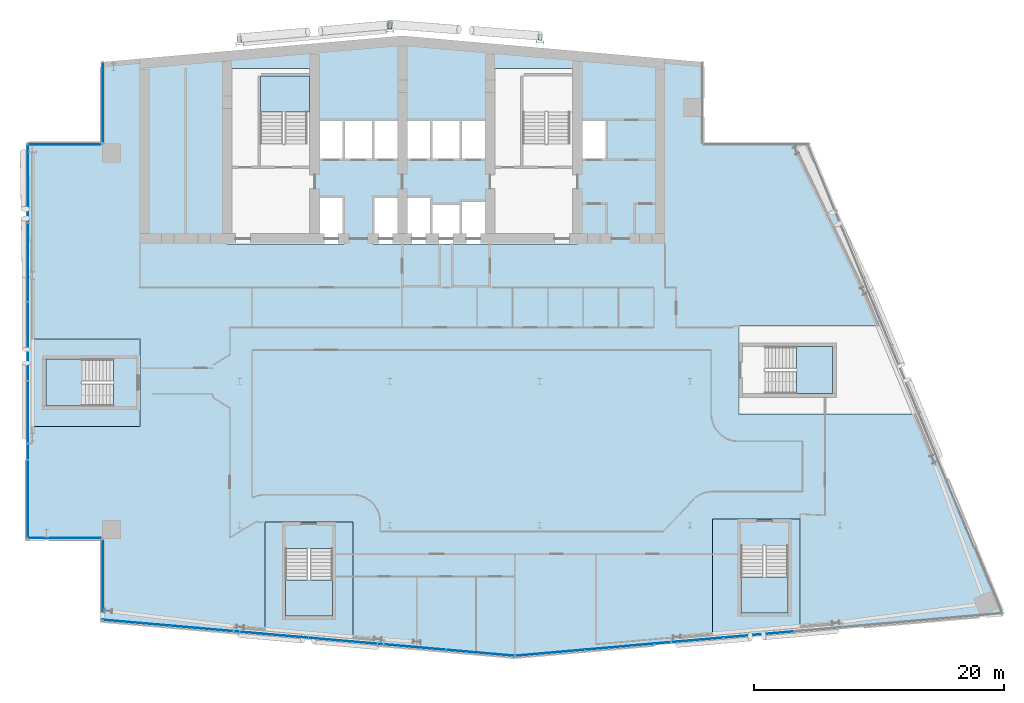
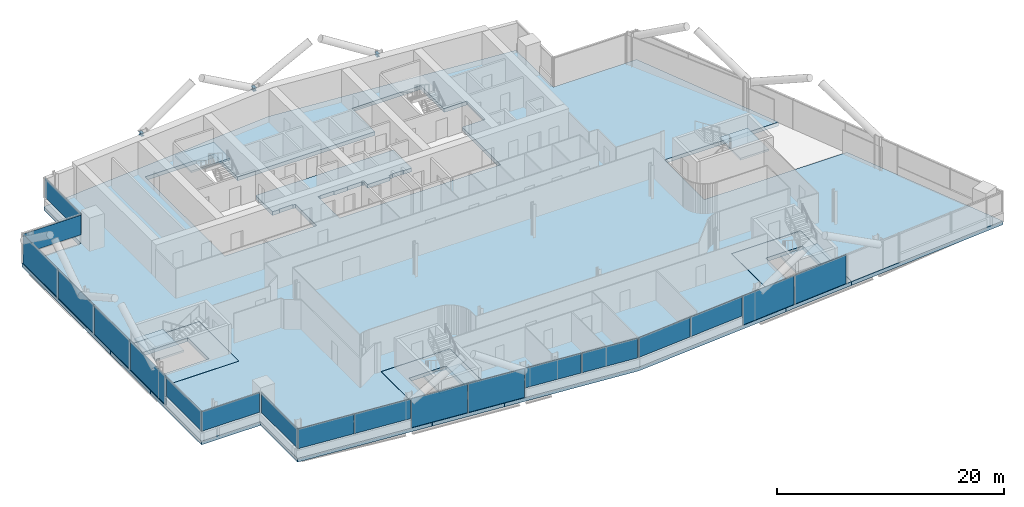
# One storey, part 13 of 29: 19 plates, 9 slabs, 4 members, 12 elements without a shape of their own.
"""IFC4 building model written with IfcOpenShell, lengths in metres."""

from ifc_helpers import new_model, si_unit, direction, frame, origin, origin_2d, place, context, subcontext, project, spatial, polyline, rectangle, i_section, outline, extrude, material, layer, layer_set, material_profile, profile_set, type_object, element, aggregate, save


model = new_model("IFC4")

# Units and contexts
model_context = context("Model", 3, precision=1e-05, world=origin(), true_north=direction((0.0, 1.0)))
body_context = subcontext(model_context, "Body", "Model", "MODEL_VIEW")
ifc_project = project(units=[si_unit("LENGTHUNIT", "METRE"), si_unit("AREAUNIT", "SQUARE_METRE"), si_unit("VOLUMEUNIT", "CUBIC_METRE"), si_unit("PLANEANGLEUNIT", "RADIAN"), si_unit("MASSUNIT", "GRAM", prefix="KILO")], contexts=[model_context])

# Site, building, storey
site_placement = place(None, origin())
site = spatial("IfcSite", under=ifc_project, at=site_placement, CompositionType="ELEMENT")
building_placement = place(site_placement, origin())
building = spatial("IfcBuilding", under=site, at=building_placement, Name="Wharfspan Tower", CompositionType="ELEMENT")
storey_placement = place(building_placement, frame((0.0, 0.0, 155.5)))
storey = spatial("IfcBuildingStorey", under=building, at=storey_placement, Name="L37", CompositionType="ELEMENT", Elevation=155.5)

# Members
ifc_material_1 = material(Name="Steel S355J2", Category="steel")
ifc_material_profile = material_profile(ifc_material_1, i_section(OverallWidth=0.300049, OverallDepth=0.300049, WebThickness=0.010986, FlangeThickness=0.019043, FilletRadius=0.0271, at=origin_2d()))
ifc_profile_set = profile_set([ifc_material_profile], Name="Steel S355J2")
member_type = type_object("IfcMemberType", Name="Brace node stub HEB 300", PredefinedType="STRUT", material=ifc_profile_set)
for number, where, z_axis, x_axis, name in (
    (1, (23.987305, 50.08374, 2.899902), (-0.087401, 0.996173, 0.0), (-0.996173, -0.087401, 0.0), "Brace node stub L38 N1 A"),
    (2, (35.987305, 51.133545, 2.899902), (-0.087401, 0.996173, 0.0), (-0.996173, -0.087401, 0.0), "Brace node stub L38 N1 B"),
    (3, (36.013916, 51.179443, 2.899902), (0.072929, 0.997337, 0.0), (-0.997337, 0.072929, 0.0), "Brace node stub L38 N1 A"),
    (4, (48.010986, 50.263184, 2.899902), (0.072929, 0.997337, 0.0), (-0.997337, 0.072929, 0.0), "Brace node stub L38 N1 B"),
):
    element("IfcMember", number, at=place(storey_placement, frame(where, z_axis=z_axis, x_axis=x_axis)), inside=storey, type_object=member_type, Name=name, PredefinedType="STRUT", context=body_context, shape_type="SweptSolid", body=[
        extrude(i_section(OverallWidth=0.300049, OverallDepth=0.300049, WebThickness=0.010986, FlangeThickness=0.019043, FilletRadius=0.0271, at=origin_2d()), origin(), (0.0, 0.0, 1.0), 0.505615),
    ])

# Curtain wall, plates
ifc_material_2 = material(Name="Aluminium 6063-T6", Category="aluminium")
curtain_wall_type_1 = type_object("IfcCurtainWallType", Name="CURTAIN WALL FACETED FRONT", PredefinedType="NOTDEFINED", material=ifc_material_2)
curtain_wall_1_placement = place(storey_placement, origin())
curtain_wall_1 = element("IfcCurtainWall", 5, at=curtain_wall_1_placement, inside=storey, type_object=curtain_wall_type_1, Name="Curtain wall S1", PredefinedType="NOTDEFINED")
ifc_material_3 = material(Name="Glass clear low-iron double glazing", Category="glass")
ifc_layer_1 = layer(ifc_material_3, 0.040039)
ifc_layer_set_1 = layer_set([ifc_layer_1], Name="Glass clear low-iron double glazing")
plate_type_1 = type_object("IfcPlateType", Name="GLASS PANEL FACETED FRONT 40", PredefinedType="CURTAIN_PANEL", material=ifc_layer_set_1)
plate_1_placement = place(storey_placement, frame((15.770264, 3.692871, 1.0), z_axis=(0.0, 0.0, 1.0), x_axis=(0.996198, -0.087156, 0.0)))
plate_1 = element("IfcPlate", 6, at=plate_1_placement, type_object=plate_type_1, Name="Curtain wall S1 panel 1", PredefinedType="CURTAIN_PANEL", context=body_context, shape_type="SweptSolid", body=[
    extrude(rectangle(XDim=5.430908, YDim=0.040039, at=origin_2d()), origin(), (0.0, 0.0, 1.0), 2.120117),
])
plate_2_placement = place(storey_placement, frame((21.255127, 3.213135, 1.0), z_axis=(0.0, 0.0, 1.0), x_axis=(0.996198, -0.087156, 0.0)))
plate_2 = element("IfcPlate", 7, at=plate_2_placement, type_object=plate_type_1, Name="Curtain wall S1 panel 2", PredefinedType="CURTAIN_PANEL", context=body_context, shape_type="SweptSolid", body=[
    extrude(rectangle(XDim=5.460938, YDim=0.040039, at=origin_2d()), origin(), (0.0, 0.0, 1.0), 2.120117),
])
plate_3_placement = place(storey_placement, frame((37.755127, 1.769531, 1.0), z_axis=(0.0, 0.0, 1.0), x_axis=(0.996198, -0.087156, 0.0)))
plate_3 = element("IfcPlate", 8, at=plate_3_placement, type_object=plate_type_1, Name="Curtain wall S1 panel 5", PredefinedType="CURTAIN_PANEL", context=body_context, shape_type="SweptSolid", body=[
    extrude(rectangle(XDim=5.460938, YDim=0.040039, at=origin_2d()), origin(), (0.0, 0.0, 1.0), 2.120117),
])
plate_4_placement = place(storey_placement, frame((43.240234, 1.289551, 1.0), z_axis=(0.0, 0.0, 1.0), x_axis=(0.996198, -0.087156, 0.0)))
plate_4 = element("IfcPlate", 9, at=plate_4_placement, type_object=plate_type_1, Name="Curtain wall S1 panel 6", PredefinedType="CURTAIN_PANEL", context=body_context, shape_type="SweptSolid", body=[
    extrude(rectangle(XDim=5.430908, YDim=0.040039, at=origin_2d()), origin(), (0.0, 0.0, 1.0), 2.120117),
])

curtain_wall_2_placement = place(storey_placement, origin())
curtain_wall_2 = element("IfcCurtainWall", 10, at=curtain_wall_2_placement, inside=storey, type_object=curtain_wall_type_1, Name="Curtain wall S2", PredefinedType="NOTDEFINED")
plate_5_placement = place(storey_placement, frame((48.79541, 1.292725, 1.0), z_axis=(0.0, 0.0, 1.0), x_axis=(0.996198, 0.087156, 0.0)))
plate_5 = element("IfcPlate", 11, at=plate_5_placement, type_object=plate_type_1, Name="Curtain wall S2 panel 1", PredefinedType="CURTAIN_PANEL", context=body_context, shape_type="SweptSolid", body=[
    extrude(rectangle(XDim=5.502686, YDim=0.040039, at=origin_2d()), origin(), (0.0, 0.0, 1.0), 2.120117),
])
plate_6_placement = place(storey_placement, frame((54.351807, 1.778809, 1.0), z_axis=(0.0, 0.0, 1.0), x_axis=(0.996198, 0.087156, 0.0)))
plate_6 = element("IfcPlate", 12, at=plate_6_placement, type_object=plate_type_1, Name="Curtain wall S2 panel 2", PredefinedType="CURTAIN_PANEL", context=body_context, shape_type="SweptSolid", body=[
    extrude(rectangle(XDim=5.532715, YDim=0.040039, at=origin_2d()), origin(), (0.0, 0.0, 1.0), 2.120117),
])

# Curtain wall, plate
curtain_wall_type_2 = type_object("IfcCurtainWallType", Name="CURTAIN WALL PROW AND END", PredefinedType="NOTDEFINED", material=ifc_material_2)
curtain_wall_3_placement = place(storey_placement, origin())
curtain_wall_3 = element("IfcCurtainWall", 13, at=curtain_wall_3_placement, inside=storey, type_object=curtain_wall_type_2, Name="Curtain wall NRW-V", PredefinedType="NOTDEFINED")
ifc_layer_2 = layer(ifc_material_3, 0.040039)
ifc_layer_set_2 = layer_set([ifc_layer_2], Name="Glass clear low-iron double glazing")
plate_type_2 = type_object("IfcPlateType", Name="GLASS PANEL PROW AND END 40", PredefinedType="CURTAIN_PANEL", material=ifc_layer_set_2)
plate_7_placement = place(storey_placement, frame((13.080078, 45.262451, 1.0), z_axis=(0.0, 0.0, 1.0), x_axis=(0.0, -1.0, 0.0)))
plate_7 = element("IfcPlate", 14, at=plate_7_placement, type_object=plate_type_2, Name="Curtain wall NRW-V panel 1", PredefinedType="CURTAIN_PANEL", context=body_context, shape_type="SweptSolid", body=[
    extrude(rectangle(XDim=6.405029, YDim=0.040039, at=origin_2d()), origin(), (0.0, 0.0, 1.0), 2.120117),
])
aggregate(curtain_wall_3, [plate_7])

curtain_wall_4_placement = place(storey_placement, origin())
curtain_wall_4 = element("IfcCurtainWall", 15, at=curtain_wall_4_placement, inside=storey, type_object=curtain_wall_type_2, Name="Curtain wall NRW-H", PredefinedType="NOTDEFINED")
plate_8_placement = place(storey_placement, frame((10.0, 41.919922, 1.0), z_axis=(0.0, 0.0, 1.0), x_axis=(-1.0, 0.0, 0.0)))
plate_8 = element("IfcPlate", 16, at=plate_8_placement, type_object=plate_type_2, Name="Curtain wall NRW-H panel 1", PredefinedType="CURTAIN_PANEL", context=body_context, shape_type="SweptSolid", body=[
    extrude(rectangle(XDim=5.879883, YDim=0.040039, at=origin_2d()), origin(), (0.0, 0.0, 1.0), 2.120117),
])
aggregate(curtain_wall_4, [plate_8])

curtain_wall_5_placement = place(storey_placement, origin())
curtain_wall_5 = element("IfcCurtainWall", 17, at=curtain_wall_5_placement, inside=storey, type_object=curtain_wall_type_2, Name="Curtain wall W", PredefinedType="NOTDEFINED")
plate_9_placement = place(storey_placement, frame((7.080078, 13.574951, 1.0), z_axis=(0.0, 0.0, 1.0), x_axis=(0.0, -1.0, 0.0)))
plate_9 = element("IfcPlate", 18, at=plate_9_placement, type_object=plate_type_2, Name="Curtain wall W panel 5", PredefinedType="CURTAIN_PANEL", context=body_context, shape_type="SweptSolid", body=[
    extrude(rectangle(XDim=6.22998, YDim=0.040039, at=origin_2d()), origin(), (0.0, 0.0, 1.0), 2.120117),
])

curtain_wall_6_placement = place(storey_placement, origin())
curtain_wall_6 = element("IfcCurtainWall", 19, at=curtain_wall_6_placement, inside=storey, type_object=curtain_wall_type_2, Name="Curtain wall NFW-H", PredefinedType="NOTDEFINED")
plate_10_placement = place(storey_placement, frame((10.0, 10.47998, 1.0), z_axis=(0.0, 0.0, 1.0), x_axis=(1.0, 0.0, 0.0)))
plate_10 = element("IfcPlate", 20, at=plate_10_placement, type_object=plate_type_2, Name="Curtain wall NFW-H panel 1", PredefinedType="CURTAIN_PANEL", context=body_context, shape_type="SweptSolid", body=[
    extrude(rectangle(XDim=5.879883, YDim=0.040039, at=origin_2d()), origin(), (0.0, 0.0, 1.0), 2.120117),
])
aggregate(curtain_wall_6, [plate_10])

curtain_wall_7_placement = place(storey_placement, origin())
curtain_wall_7 = element("IfcCurtainWall", 21, at=curtain_wall_7_placement, inside=storey, type_object=curtain_wall_type_2, Name="Curtain wall NFW-V", PredefinedType="NOTDEFINED")
plate_11_placement = place(storey_placement, frame((13.080078, 7.137451, 1.0), z_axis=(0.0, 0.0, 1.0), x_axis=(0.0, -1.0, 0.0)))
plate_11 = element("IfcPlate", 22, at=plate_11_placement, type_object=plate_type_2, Name="Curtain wall NFW-V panel 1", PredefinedType="CURTAIN_PANEL", context=body_context, shape_type="SweptSolid", body=[
    extrude(rectangle(XDim=6.405029, YDim=0.040039, at=origin_2d()), origin(), (0.0, 0.0, 1.0), 2.120117),
])
aggregate(curtain_wall_7, [plate_11])

# Plate
ifc_material_4 = material(Name="Aluminium composite opaque insulated panel", Category="aluminium")
ifc_layer_3 = layer(ifc_material_4, 0.040039)
ifc_layer_set_3 = layer_set([ifc_layer_3], Name="Aluminium composite opaque insulated panel")
plate_type_3 = type_object("IfcPlateType", Name="INFILL PANEL FACETED FRONT OPAQUE 40", PredefinedType="SHEET", material=ifc_layer_set_3)
plate_12_placement = place(storey_placement, frame((26.755127, 2.731934, 0.0), z_axis=(0.0, 0.0, 1.0), x_axis=(0.996198, -0.087156, 0.0)))
plate_12 = element("IfcPlate", 23, at=plate_12_placement, type_object=plate_type_3, Name="Curtain wall S1 panel 3", PredefinedType="SHEET", context=body_context, shape_type="SweptSolid", body=[
    extrude(rectangle(XDim=5.460938, YDim=0.040039, at=origin_2d()), origin(), (0.0, 0.0, 1.0), 3.120117),
])

plate_13_placement = place(storey_placement, frame((32.255127, 2.250732, 0.0), z_axis=(0.0, 0.0, 1.0), x_axis=(0.996198, -0.087156, 0.0)))
plate_13 = element("IfcPlate", 24, at=plate_13_placement, type_object=plate_type_3, Name="Curtain wall S1 panel 4", PredefinedType="SHEET", context=body_context, shape_type="SweptSolid", body=[
    extrude(rectangle(XDim=5.460938, YDim=0.040039, at=origin_2d()), origin(), (0.0, 0.0, 1.0), 3.120117),
])

aggregate(curtain_wall_1, [plate_1, plate_2, plate_12, plate_13, plate_3, plate_4])

plate_14_placement = place(storey_placement, frame((59.92334, 2.266357, 0.0), z_axis=(0.0, 0.0, 1.0), x_axis=(0.996198, 0.087156, 0.0)))
plate_14 = element("IfcPlate", 25, at=plate_14_placement, type_object=plate_type_3, Name="Curtain wall S2 panel 3", PredefinedType="SHEET", context=body_context, shape_type="SweptSolid", body=[
    extrude(rectangle(XDim=5.532715, YDim=0.040039, at=origin_2d()), origin(), (0.0, 0.0, 1.0), 3.120117),
])

plate_15_placement = place(storey_placement, frame((65.494873, 2.753662, 0.0), z_axis=(0.0, 0.0, 1.0), x_axis=(0.996198, 0.087156, 0.0)))
plate_15 = element("IfcPlate", 26, at=plate_15_placement, type_object=plate_type_3, Name="Curtain wall S2 panel 4", PredefinedType="SHEET", context=body_context, shape_type="SweptSolid", body=[
    extrude(rectangle(XDim=5.532715, YDim=0.040039, at=origin_2d()), origin(), (0.0, 0.0, 1.0), 3.120117),
])

aggregate(curtain_wall_2, [plate_5, plate_6, plate_14, plate_15])

ifc_layer_4 = layer(ifc_material_4, 0.040039)
ifc_layer_set_4 = layer_set([ifc_layer_4], Name="Aluminium composite opaque insulated panel")
plate_type_4 = type_object("IfcPlateType", Name="INFILL PANEL PROW AND END OPAQUE 40", PredefinedType="SHEET", material=ifc_layer_set_4)
plate_16_placement = place(storey_placement, frame((7.080078, 38.824951, 0.0), z_axis=(0.0, 0.0, 1.0), x_axis=(0.0, -1.0, 0.0)))
plate_16 = element("IfcPlate", 27, at=plate_16_placement, type_object=plate_type_4, Name="Curtain wall W panel 1", PredefinedType="SHEET", context=body_context, shape_type="SweptSolid", body=[
    extrude(rectangle(XDim=6.22998, YDim=0.040039, at=origin_2d()), origin(), (0.0, 0.0, 1.0), 3.120117),
])

plate_17_placement = place(storey_placement, frame((7.080078, 32.52002, 0.0), z_axis=(0.0, 0.0, 1.0), x_axis=(0.0, -1.0, 0.0)))
plate_17 = element("IfcPlate", 28, at=plate_17_placement, type_object=plate_type_4, Name="Curtain wall W panel 2", PredefinedType="SHEET", context=body_context, shape_type="SweptSolid", body=[
    extrude(rectangle(XDim=6.26001, YDim=0.040039, at=origin_2d()), origin(), (0.0, 0.0, 1.0), 3.120117),
])

plate_18_placement = place(storey_placement, frame((7.080078, 26.199951, 0.0), z_axis=(0.0, 0.0, 1.0), x_axis=(0.0, -1.0, 0.0)))
plate_18 = element("IfcPlate", 29, at=plate_18_placement, type_object=plate_type_4, Name="Curtain wall W panel 3", PredefinedType="SHEET", context=body_context, shape_type="SweptSolid", body=[
    extrude(rectangle(XDim=6.26001, YDim=0.040039, at=origin_2d()), origin(), (0.0, 0.0, 1.0), 3.120117),
])

plate_19_placement = place(storey_placement, frame((7.080078, 19.879883, 0.0), z_axis=(0.0, 0.0, 1.0), x_axis=(0.0, -1.0, 0.0)))
plate_19 = element("IfcPlate", 30, at=plate_19_placement, type_object=plate_type_4, Name="Curtain wall W panel 4", PredefinedType="SHEET", context=body_context, shape_type="SweptSolid", body=[
    extrude(rectangle(XDim=6.26001, YDim=0.040039, at=origin_2d()), origin(), (0.0, 0.0, 1.0), 3.120117),
])

aggregate(curtain_wall_5, [plate_16, plate_17, plate_18, plate_19, plate_9])

# Slabs
ifc_material_5 = material(Name="Concrete C40/50", Category="concrete")
ifc_layer_5 = layer(ifc_material_5, 0.399902)
ifc_layer_set_5 = layer_set([ifc_layer_5], Name="Concrete C40/50")
slab_type_1 = type_object("IfcSlabType", Name="Post-tensioned flat slab 400", PredefinedType="FLOOR", material=ifc_layer_set_5)
slab_1_placement = place(storey_placement, frame((0.0, 0.0, -0.400146)))
element("IfcSlab", 31, at=slab_1_placement, inside=storey, type_object=slab_type_1, Name="Floor slab L37", PredefinedType="FLOOR", context=body_context, shape_type="SweptSolid", body=[
    extrude(outline(polyline([(26.029297, 2.735107), (26.029297, 11.744385), (33.049316, 11.744385), (33.049316, 2.121094), (46.0, 0.987793), (61.801514, 2.370361), (61.801514, 11.993652), (68.821289, 11.993652), (68.821289, 2.984619), (85.0, 4.399902), (78.398682, 20.389893), (63.894531, 20.389893), (63.894531, 27.409912), (75.500488, 27.409912), (69.477051, 42.0), (61.0, 42.0), (61.0, 48.524902), (37.0, 50.624756), (13.0, 48.524902), (13.0, 42.0), (7.0, 42.0), (7.0, 26.409912), (16.01001, 26.409912), (16.01001, 19.389893), (7.0, 19.389893), (7.0, 10.399902), (13.0, 10.399902), (13.0, 3.875), (26.029297, 2.735107)]), holes=[polyline([(32.126709, 37.76001), (32.343262, 37.76001), (32.343262, 33.98999), (22.98999, 33.98999), (22.98999, 48.01001), (30.01001, 48.01001), (30.01001, 43.909912), (43.98999, 43.909912), (43.98999, 48.01001), (51.01001, 48.01001), (51.01001, 43.909912), (53.343262, 43.909912), (53.343262, 40.689941), (51.01001, 40.689941), (51.01001, 33.98999), (34.656738, 33.98999), (34.656738, 37.76001), (34.873291, 37.76001), (34.873291, 37.810059), (36.293213, 37.810059), (36.293213, 37.76001), (37.666748, 37.76001), (37.666748, 37.810059), (39.166748, 37.810059), (39.166748, 37.76001), (39.343262, 37.76001), (39.343262, 37.209961), (41.656738, 37.209961), (41.656738, 37.459961), (42.023193, 37.459961), (42.023193, 37.51001), (43.143311, 37.51001), (43.143311, 37.459961), (43.98999, 37.459961), (43.98999, 40.689941), (30.01001, 40.689941), (30.01001, 37.76001), (30.706787, 37.76001), (30.706787, 37.810059), (32.126709, 37.810059), (32.126709, 37.76001)])]), origin(), (0.0, 0.0, 1.0), 0.400146),
])
slab_2_placement = place(storey_placement, frame((0.0, 0.0, -0.400146)))
element("IfcSlab", 32, at=slab_2_placement, inside=storey, type_object=slab_type_1, Name="Core floor slab L37 part 1", PredefinedType="FLOOR", context=body_context, shape_type="SweptSolid", body=[
    extrude(outline(polyline([(16.0, 20.725098), (16.0, 25.074951), (16.0, 26.399902), (7.0, 26.399902), (7.0, 19.399902), (16.0, 19.399902), (16.0, 20.725098)]), holes=[polyline([(13.899902, 24.7771), (13.900146, 24.7771), (13.900391, 24.7771), (13.900635, 24.776855), (13.900879, 24.776855), (13.900879, 24.776855), (13.901123, 24.776611), (13.901367, 24.776611), (13.901367, 24.776367), (13.901611, 24.776367), (13.901611, 24.776123), (13.901855, 24.775879), (13.901855, 24.775879), (13.901855, 24.775635), (13.9021, 24.775391), (13.9021, 24.775146), (13.9021, 24.774902), (13.9021, 21.024902), (13.9021, 21.024902), (13.9021, 21.024658), (13.901855, 21.024414), (13.901855, 21.02417), (13.901855, 21.02417), (13.901611, 21.023926), (13.901611, 21.023682), (13.901367, 21.023682), (13.901367, 21.023438), (13.901123, 21.023193), (13.900879, 21.023193), (13.900879, 21.023193), (13.900635, 21.023193), (13.900391, 21.022949), (13.900146, 21.022949), (13.899902, 21.022949), (8.5, 21.022949), (8.499756, 21.022949), (8.499512, 21.022949), (8.499512, 21.023193), (8.499268, 21.023193), (8.499023, 21.023193), (8.498779, 21.023193), (8.498779, 21.023438), (8.498535, 21.023682), (8.498535, 21.023682), (8.498291, 21.023926), (8.498291, 21.02417), (8.498291, 21.02417), (8.498047, 21.024414), (8.498047, 21.024658), (8.498047, 21.024902), (8.498047, 21.024902), (8.498047, 24.774902), (8.498047, 24.775146), (8.498047, 24.775391), (8.498047, 24.775635), (8.498291, 24.775879), (8.498291, 24.775879), (8.498291, 24.776123), (8.498535, 24.776367), (8.498535, 24.776367), (8.498779, 24.776611), (8.498779, 24.776611), (8.499023, 24.776855), (8.499268, 24.776855), (8.499512, 24.776855), (8.499512, 24.7771), (8.499756, 24.7771), (8.5, 24.7771), (13.899902, 24.7771)])]), origin(), (0.0, 0.0, 1.0), 0.400146),
])
slab_3_placement = place(storey_placement, frame((0.0, 0.0, -0.400146)))
element("IfcSlab", 33, at=slab_3_placement, inside=storey, type_object=slab_type_1, Name="Core floor slab L37 part 2", PredefinedType="FLOOR", context=body_context, shape_type="SweptSolid", body=[
    extrude(outline(polyline([(31.714111, 11.734375), (27.364258, 11.734375), (26.039307, 11.734375), (26.039307, 2.734375), (33.039307, 2.121826), (33.039307, 11.734375), (31.714111, 11.734375)]), holes=[polyline([(27.662109, 9.634277), (27.662109, 9.634521), (27.662354, 9.634766), (27.662354, 9.63501), (27.662354, 9.63501), (27.662598, 9.635254), (27.662598, 9.635498), (27.662598, 9.635498), (27.662842, 9.635742), (27.663086, 9.635742), (27.663086, 9.635986), (27.66333, 9.635986), (27.663574, 9.635986), (27.663574, 9.63623), (27.663818, 9.63623), (27.664062, 9.63623), (27.664307, 9.63623), (31.414307, 9.63623), (31.414307, 9.63623), (31.414551, 9.63623), (31.414795, 9.63623), (31.415039, 9.635986), (31.415283, 9.635986), (31.415283, 9.635986), (31.415527, 9.635742), (31.415527, 9.635742), (31.415771, 9.635498), (31.416016, 9.635498), (31.416016, 9.635254), (31.416016, 9.63501), (31.416016, 9.63501), (31.41626, 9.634766), (31.41626, 9.634521), (31.41626, 9.634277), (31.41626, 4.234375), (31.41626, 4.234131), (31.41626, 4.233887), (31.416016, 4.233643), (31.416016, 4.233398), (31.416016, 4.233398), (31.416016, 4.233154), (31.415771, 4.23291), (31.415527, 4.23291), (31.415527, 4.232666), (31.415283, 4.232666), (31.415283, 4.232422), (31.415039, 4.232422), (31.414795, 4.232422), (31.414551, 4.232422), (31.414307, 4.232422), (31.414307, 4.232422), (27.664307, 4.232422), (27.664062, 4.232422), (27.663818, 4.232422), (27.663574, 4.232422), (27.663574, 4.232422), (27.66333, 4.232422), (27.663086, 4.232666), (27.663086, 4.232666), (27.662842, 4.23291), (27.662598, 4.23291), (27.662598, 4.233154), (27.662598, 4.233398), (27.662354, 4.233398), (27.662354, 4.233643), (27.662354, 4.233887), (27.662109, 4.234131), (27.662109, 4.234375), (27.662109, 9.634277)])]), origin(), (0.0, 0.0, 1.0), 0.400146),
])
slab_4_placement = place(storey_placement, frame((0.0, 0.0, -0.400146)))
element("IfcSlab", 34, at=slab_4_placement, inside=storey, type_object=slab_type_1, Name="Core floor slab L37 part 4", PredefinedType="FLOOR", context=body_context, shape_type="SweptSolid", body=[
    extrude(outline(polyline([(68.811279, 11.983643), (68.136475, 11.983643), (63.786377, 11.983643), (61.811279, 11.983643), (61.811279, 2.371338), (68.811279, 2.983643), (68.811279, 11.983643)]), holes=[polyline([(64.084473, 9.883789), (64.084473, 9.883789), (64.084473, 9.884033), (64.084473, 9.884277), (64.084473, 9.884521), (64.084717, 9.884521), (64.084717, 9.884766), (64.084717, 9.88501), (64.084961, 9.88501), (64.085205, 9.885254), (64.085205, 9.885254), (64.085449, 9.885498), (64.085693, 9.885498), (64.085693, 9.885498), (64.085938, 9.885498), (64.086182, 9.885742), (64.086426, 9.885742), (67.836426, 9.885742), (67.836426, 9.885742), (67.83667, 9.885498), (67.836914, 9.885498), (67.837158, 9.885498), (67.837402, 9.885498), (67.837402, 9.885254), (67.837646, 9.885254), (67.837891, 9.88501), (67.837891, 9.88501), (67.837891, 9.884766), (67.838135, 9.884521), (67.838135, 9.884521), (67.838379, 9.884277), (67.838379, 9.884033), (67.838379, 9.883789), (67.838379, 9.883789), (67.838379, 4.483643), (67.838379, 4.483398), (67.838379, 4.483398), (67.838379, 4.483154), (67.838135, 4.48291), (67.838135, 4.482666), (67.837891, 4.482666), (67.837891, 4.482422), (67.837891, 4.482422), (67.837646, 4.482178), (67.837402, 4.481934), (67.837402, 4.481934), (67.837158, 4.481689), (67.836914, 4.481689), (67.83667, 4.481689), (67.836426, 4.481689), (67.836426, 4.481689), (64.086426, 4.481689), (64.086182, 4.481689), (64.085938, 4.481689), (64.085693, 4.481689), (64.085693, 4.481689), (64.085449, 4.481934), (64.085205, 4.481934), (64.085205, 4.482178), (64.084961, 4.482422), (64.084717, 4.482422), (64.084717, 4.482666), (64.084717, 4.482666), (64.084473, 4.48291), (64.084473, 4.483154), (64.084473, 4.483398), (64.084473, 4.483398), (64.084473, 4.483643), (64.084473, 9.883789)])]), origin(), (0.0, 0.0, 1.0), 0.400146),
])

# Stair, slab
stair_type = type_object("IfcStairType", Name="Half-turn stair 20 risers 180 mm", PredefinedType="HALF_TURN_STAIR", material=ifc_material_5)
stair_1_placement = place(storey_placement, origin())
stair_1 = element("IfcStair", 35, at=stair_1_placement, inside=storey, type_object=stair_type, Name="L37 stair ST1", PredefinedType="HALF_TURN_STAIR")
ifc_layer_6 = layer(ifc_material_5, 0.199951)
ifc_layer_set_6 = layer_set([ifc_layer_6], Name="Concrete C40/50")
slab_type_2 = type_object("IfcSlabType", Name="Stair landing 200", PredefinedType="LANDING", material=ifc_layer_set_6)
slab_5_placement = place(storey_placement, frame((0.0, 0.0, 1.599854)))
slab_5 = element("IfcSlab", 36, at=slab_5_placement, type_object=slab_type_2, Name="ST1 landing 1", PredefinedType="LANDING", context=body_context, shape_type="SweptSolid", body=[
    extrude(outline(polyline([(25.649902, 44.52002), (29.600098, 44.52002), (29.600098, 47.399902), (25.649902, 47.399902), (25.649902, 44.52002)])), origin(), (0.0, 0.0, 1.0), 0.200195),
])
aggregate(stair_1, [slab_5])

stair_2_placement = place(storey_placement, origin())
stair_2 = element("IfcStair", 37, at=stair_2_placement, inside=storey, type_object=stair_type, Name="L37 stair ST3", PredefinedType="HALF_TURN_STAIR")
slab_6_placement = place(storey_placement, frame((0.0, 0.0, 1.599854)))
slab_6 = element("IfcSlab", 38, at=slab_6_placement, type_object=slab_type_2, Name="ST3 landing 1", PredefinedType="LANDING", context=body_context, shape_type="SweptSolid", body=[
    extrude(outline(polyline([(11.379883, 24.774902), (8.5, 24.774902), (8.5, 21.024902), (11.379883, 21.024902), (11.379883, 24.774902)])), origin(), (0.0, 0.0, 1.0), 0.200195),
])
aggregate(stair_2, [slab_6])

stair_3_placement = place(storey_placement, origin())
stair_3 = element("IfcStair", 39, at=stair_3_placement, inside=storey, type_object=stair_type, Name="L37 stair ST4", PredefinedType="HALF_TURN_STAIR")
slab_7_placement = place(storey_placement, frame((0.0, 0.0, 1.599854)))
slab_7 = element("IfcSlab", 40, at=slab_7_placement, type_object=slab_type_2, Name="ST4 landing 1", PredefinedType="LANDING", context=body_context, shape_type="SweptSolid", body=[
    extrude(outline(polyline([(27.664307, 7.114258), (27.664307, 4.234375), (31.414307, 4.234375), (31.414307, 7.114258), (27.664307, 7.114258)])), origin(), (0.0, 0.0, 1.0), 0.200195),
])
aggregate(stair_3, [slab_7])

stair_4_placement = place(storey_placement, origin())
stair_4 = element("IfcStair", 41, at=stair_4_placement, inside=storey, type_object=stair_type, Name="L37 stair ST5", PredefinedType="HALF_TURN_STAIR")
slab_8_placement = place(storey_placement, frame((0.0, 0.0, 1.599854)))
slab_8 = element("IfcSlab", 42, at=slab_8_placement, type_object=slab_type_2, Name="ST5 landing 1", PredefinedType="LANDING", context=body_context, shape_type="SweptSolid", body=[
    extrude(outline(polyline([(64.086426, 7.36377), (64.086426, 4.483643), (67.836426, 4.483643), (67.836426, 7.36377), (64.086426, 7.36377)])), origin(), (0.0, 0.0, 1.0), 0.200195),
])
aggregate(stair_4, [slab_8])

stair_5_placement = place(storey_placement, origin())
stair_5 = element("IfcStair", 43, at=stair_5_placement, inside=storey, type_object=stair_type, Name="L37 stair ST6", PredefinedType="HALF_TURN_STAIR")
slab_9_placement = place(storey_placement, frame((0.0, 0.0, 1.599854)))
slab_9 = element("IfcSlab", 44, at=slab_9_placement, type_object=slab_type_2, Name="ST6 landing 1", PredefinedType="LANDING", context=body_context, shape_type="SweptSolid", body=[
    extrude(outline(polyline([(68.524658, 22.024902), (71.404541, 22.024902), (71.404541, 25.774902), (68.524658, 25.774902), (68.524658, 22.024902)])), origin(), (0.0, 0.0, 1.0), 0.200195),
])
aggregate(stair_5, [slab_9])

save(model, "model.ifc")
